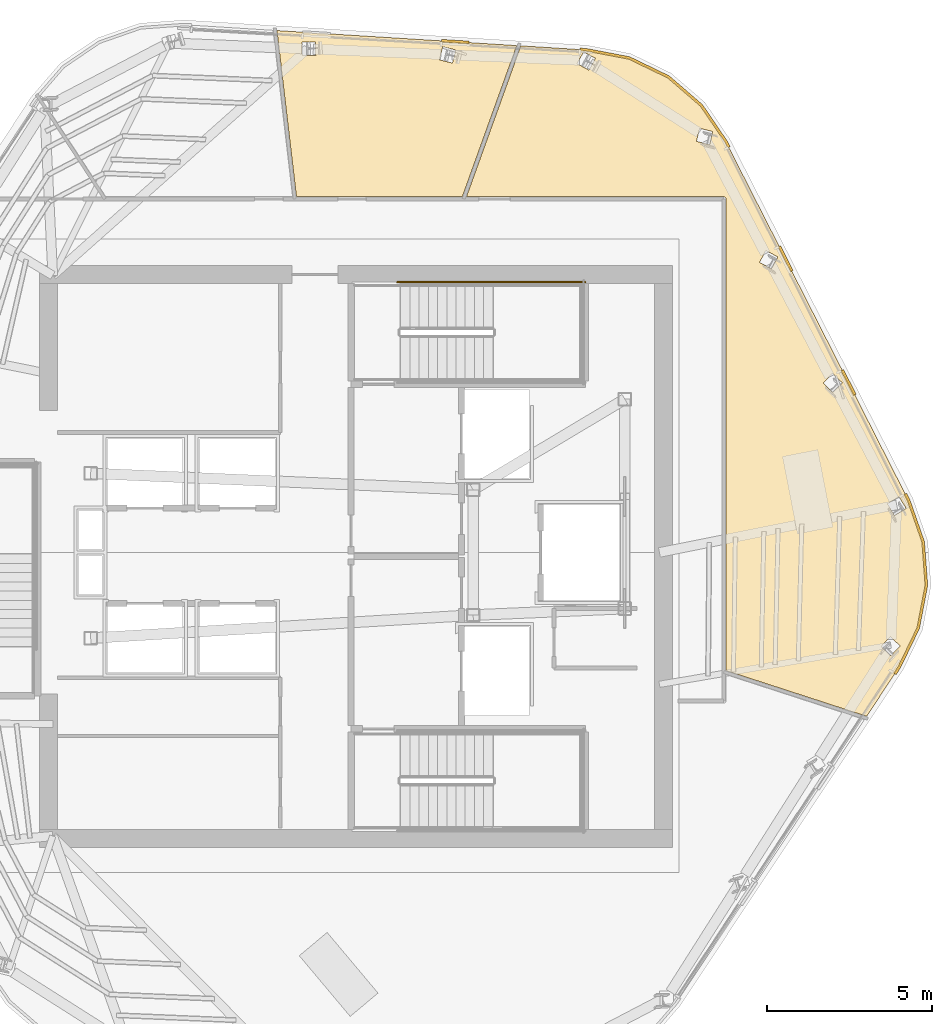
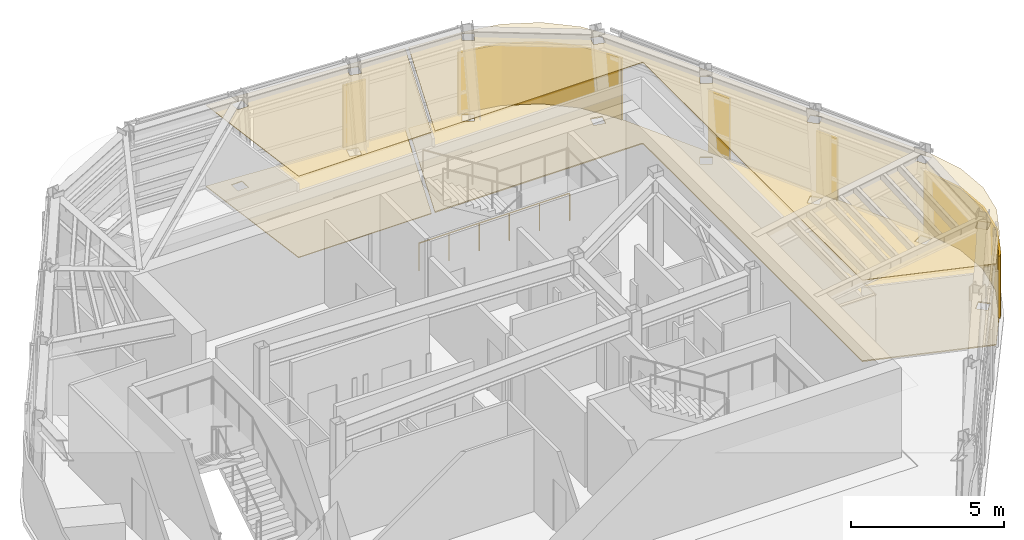
# One storey, part 12 of 13: 9 coverings, 1 railing.
"""IFC4 building model written with IfcOpenShell, lengths in metres."""

from ifc_helpers import new_model, si_unit, direction, frame, origin, origin_2d, place, context, subcontext, project, spatial, polyline, circle, outline, extrude, material, layer, layer_set, type_object, element, save


model = new_model("IFC4")

# Units and contexts
model_context = context("Model", 3, precision=1e-05, world=origin(), true_north=direction((0.0, 1.0)))
body_context = subcontext(model_context, "Body", "Model", "MODEL_VIEW")
ifc_project = project(units=[si_unit("LENGTHUNIT", "METRE"), si_unit("AREAUNIT", "SQUARE_METRE"), si_unit("VOLUMEUNIT", "CUBIC_METRE"), si_unit("PLANEANGLEUNIT", "RADIAN"), si_unit("MASSUNIT", "GRAM", prefix="KILO")], contexts=[model_context])

# Site, building, storey
site_placement = place(None, origin())
site = spatial("IfcSite", under=ifc_project, at=site_placement, CompositionType="ELEMENT")
building_placement = place(site_placement, origin())
building = spatial("IfcBuilding", under=site, at=building_placement, Name="Valkerne Bourse Tower", CompositionType="ELEMENT")
storey_placement = place(building_placement, frame((0.0, 0.0, 269.800048828125)))
storey = spatial("IfcBuildingStorey", under=building, at=storey_placement, Name="L68", CompositionType="ELEMENT", Elevation=269.800048828125)

# Coverings
ifc_material_1 = material(Name="Mineral Fiber Acoustic Ceiling Tile", Category="acoustic")
ifc_layer_1 = layer(ifc_material_1, 0.02490234375)
ifc_layer_set_1 = layer_set([ifc_layer_1], Name="Mineral Fiber Acoustic Ceiling Tile")
covering_type_1 = type_object("IfcCoveringType", Name="COV-CEIL-ACT", PredefinedType="CEILING", material=ifc_layer_set_1)
covering_1_placement = place(storey_placement, frame((0.0, 0.0, 3.25)))
element("IfcCovering", 1, at=covering_1_placement, inside=storey, type_object=covering_type_1, Name="L68 Suspended Ceiling 03", PredefinedType="CEILING", context=body_context, shape_type="SweptSolid", body=[
    extrude(outline(polyline([(44.991943359375, 37.7890625), (44.39990234375, 42.82861328125), (51.672119140625, 42.373291015625), (50.021484375, 37.7890625), (44.991943359375, 37.7890625)]), holes=[polyline([(45.573974609375, 42.078125), (45.576171875, 42.078369140625), (45.563720703125, 42.4873046875), (45.15771484375, 42.47509765625), (45.155517578125, 42.474853515625), (45.168212890625, 42.06591796875), (45.573974609375, 42.078125)]), polyline([(49.8212890625, 42.239990234375), (49.427490234375, 42.33837890625), (49.42529296875, 42.3388671875), (49.326171875, 41.94189453125), (49.719970703125, 41.84326171875), (49.72216796875, 41.843017578125), (49.8212890625, 42.239990234375)])]), origin(), (0.0, 0.0, 1.0), 0.02490234375),
])
covering_2_placement = place(storey_placement, frame((0.0, 0.0, 3.25)))
element("IfcCovering", 2, at=covering_2_placement, inside=storey, type_object=covering_type_1, Name="L68 Suspended Ceiling 05", PredefinedType="CEILING", context=body_context, shape_type="SweptSolid", body=[
    extrude(outline(polyline([(63.84423828125, 24.706787109375), (63.26611328125, 23.510498046875), (62.28369140625, 22.031005859375), (58.01904296875, 23.416748046875), (58.015380859375, 37.742919921875), (57.99072265625, 37.77587890625), (57.95068359375, 37.7890625), (50.14697265625, 37.7890625), (51.794677734375, 42.365478515625), (53.77685546875, 42.2412109375), (55.082763671875, 41.9921875), (56.27099609375, 41.41796875), (57.269775390625, 40.5556640625), (58.01708984375, 39.456298828125), (63.557861328125, 28.57373046875), (63.9951171875, 27.31884765625), (64.091552734375, 26.0029296875), (63.84423828125, 24.706787109375)]), holes=[polyline([(63.30029296875, 24.1640625), (63.005615234375, 24.444091796875), (62.723388671875, 24.1484375), (62.722900390625, 24.14599609375), (63.017578125, 23.865966796875), (63.2998046875, 24.16162109375), (63.30029296875, 24.1640625)]), polyline([(63.47900390625, 28.33837890625), (63.266845703125, 28.6875), (62.9189453125, 28.476806640625), (62.919189453125, 28.474365234375), (63.131591796875, 28.12548828125), (63.479248046875, 28.336181640625), (63.47900390625, 28.33837890625)]), polyline([(61.544189453125, 32.1484375), (61.25, 32.432373046875), (60.96728515625, 32.140380859375), (60.968017578125, 32.13818359375), (61.261962890625, 31.8544921875), (61.544921875, 32.146484375), (61.544189453125, 32.1484375)]), polyline([(59.588623046875, 35.963623046875), (59.228515625, 36.15673828125), (59.03564453125, 35.798828125), (59.037109375, 35.797119140625), (59.397216796875, 35.603759765625), (59.58984375, 35.9619140625), (59.588623046875, 35.963623046875)]), polyline([(57.615234375, 39.767578125), (57.218017578125, 39.86328125), (57.122314453125, 39.46826171875), (57.1240234375, 39.466796875), (57.521240234375, 39.37109375), (57.6171875, 39.76611328125), (57.615234375, 39.767578125)]), polyline([(53.702880859375, 42.181884765625), (53.70068359375, 42.182861328125), (53.504150390625, 41.82373046875), (53.860107421875, 41.62890625), (53.8623046875, 41.627685546875), (54.058837890625, 41.98681640625), (53.702880859375, 42.181884765625)])]), origin(), (0.0, 0.0, 1.0), 0.02490234375),
])
ifc_material_2 = material(Name="Bronze Anodised Aluminium AA 6063-T6", Category="aluminium")
ifc_layer_2 = layer(ifc_material_2, 0.06005859375)
ifc_layer_set_2 = layer_set([ifc_layer_2], Name="Bronze Anodised Aluminium AA 6063-T6")
covering_type_2 = type_object("IfcCoveringType", Name="COV-CRN-ALUM", PredefinedType="CLADDING", material=ifc_layer_set_2)
covering_3_placement = place(storey_placement, origin())
element("IfcCovering", 3, at=covering_3_placement, inside=storey, type_object=covering_type_2, Name="L68 Wind-Shaped Corner Aluminium Cladding 01", PredefinedType="CLADDING", context=body_context, shape_type="SweptSolid", body=[
    extrude(outline(polyline([(64.038330078125, 27.327880859375), (64.135986328125, 26.00048828125), (63.886474609375, 24.69287109375), (63.30419921875, 23.488525390625), (63.177978515625, 23.29833984375), (63.111083984375, 23.34228515625), (63.234619140625, 23.5283203125), (63.809814453125, 24.71826171875), (64.055419921875, 26.005126953125), (63.95947265625, 27.3115234375), (63.524658203125, 28.5595703125), (63.42333984375, 28.7587890625), (63.494873046875, 28.794677734375), (63.598388671875, 28.591064453125), (64.038330078125, 27.327880859375)])), origin(), (0.0, 0.0, 1.0), 2.5),
])
covering_4_placement = place(storey_placement, origin())
element("IfcCovering", 4, at=covering_4_placement, inside=storey, type_object=covering_type_2, Name="L68 Wind-Shaped Corner Aluminium Cladding 15", PredefinedType="CLADDING", context=body_context, shape_type="SweptSolid", body=[
    extrude(outline(polyline([(50.224365234375, 42.508056640625), (50.2197265625, 42.427978515625), (49.38134765625, 42.480712890625), (49.385986328125, 42.560546875), (50.224365234375, 42.508056640625)])), origin(), (0.0, 0.0, 1.0), 2.5),
])
covering_5_placement = place(storey_placement, origin())
element("IfcCovering", 5, at=covering_5_placement, inside=storey, type_object=covering_type_2, Name="L68 Wind-Shaped Corner Aluminium Cladding 16", PredefinedType="CLADDING", context=body_context, shape_type="SweptSolid", body=[
    extrude(outline(polyline([(53.782470703125, 42.28515625), (55.0966796875, 42.0341796875), (56.295166015625, 41.455078125), (57.302978515625, 40.585205078125), (58.054931640625, 39.478515625), (58.142578125, 39.306640625), (58.071044921875, 39.270751953125), (57.98583984375, 39.437744140625), (57.24267578125, 40.531494140625), (56.2509765625, 41.3876953125), (55.0712890625, 41.957763671875), (53.7724609375, 42.20556640625), (53.585205078125, 42.21728515625), (53.58984375, 42.297119140625), (53.782470703125, 42.28515625)])), origin(), (0.0, 0.0, 1.0), 2.5),
])
covering_6_placement = place(storey_placement, origin())
element("IfcCovering", 6, at=covering_6_placement, inside=storey, type_object=covering_type_2, Name="L68 Wind-Shaped Corner Aluminium Cladding 17", PredefinedType="CLADDING", context=body_context, shape_type="SweptSolid", body=[
    extrude(outline(polyline([(60.0537109375, 35.552978515625), (59.982177734375, 35.51708984375), (59.60107421875, 36.265625), (59.672607421875, 36.3017578125), (60.0537109375, 35.552978515625)])), origin(), (0.0, 0.0, 1.0), 2.5),
])
covering_7_placement = place(storey_placement, origin())
element("IfcCovering", 7, at=covering_7_placement, inside=storey, type_object=covering_type_2, Name="L68 Wind-Shaped Corner Aluminium Cladding 18", PredefinedType="CLADDING", context=body_context, shape_type="SweptSolid", body=[
    extrude(outline(polyline([(61.96484375, 31.799560546875), (61.893310546875, 31.763671875), (61.51220703125, 32.51220703125), (61.583740234375, 32.548095703125), (61.96484375, 31.799560546875)])), origin(), (0.0, 0.0, 1.0), 2.5),
])
ifc_material_3 = material(Name="Galvanised Painted Steel", Category="steel")
ifc_layer_3 = layer(ifc_material_3, 0.044921875)
ifc_layer_set_3 = layer_set([ifc_layer_3], Name="Galvanised Painted Steel")
covering_type_3 = type_object("IfcCoveringType", Name="COV-FLR-RAF", PredefinedType="FLOORING", material=ifc_layer_set_3)
covering_8_placement = place(storey_placement, origin())
element("IfcCovering", 8, at=covering_8_placement, inside=storey, type_object=covering_type_3, Name="L68 Floor Finish 05", PredefinedType="FLOORING", context=body_context, shape_type="SweptSolid", body=[
    extrude(outline(polyline([(63.84423828125, 24.706787109375), (63.26611328125, 23.510498046875), (62.28369140625, 22.031005859375), (58.01904296875, 23.416748046875), (58.015380859375, 37.742919921875), (57.99072265625, 37.77587890625), (57.95068359375, 37.7890625), (50.14697265625, 37.7890625), (51.794677734375, 42.365478515625), (53.77685546875, 42.2412109375), (55.082763671875, 41.9921875), (56.27099609375, 41.41796875), (57.269775390625, 40.5556640625), (58.01708984375, 39.456298828125), (63.557861328125, 28.57373046875), (63.9951171875, 27.31884765625), (64.091552734375, 26.0029296875), (63.84423828125, 24.706787109375)]), holes=[polyline([(63.30029296875, 24.1640625), (63.005615234375, 24.444091796875), (62.723388671875, 24.1484375), (62.722900390625, 24.14599609375), (63.017578125, 23.865966796875), (63.2998046875, 24.16162109375), (63.30029296875, 24.1640625)]), polyline([(63.47900390625, 28.33837890625), (63.266845703125, 28.6875), (62.9189453125, 28.476806640625), (62.919189453125, 28.474365234375), (63.131591796875, 28.12548828125), (63.479248046875, 28.336181640625), (63.47900390625, 28.33837890625)]), polyline([(61.544189453125, 32.1484375), (61.25, 32.432373046875), (60.96728515625, 32.140380859375), (60.968017578125, 32.13818359375), (61.261962890625, 31.8544921875), (61.544921875, 32.146484375), (61.544189453125, 32.1484375)]), polyline([(59.588623046875, 35.963623046875), (59.228515625, 36.15673828125), (59.03564453125, 35.798828125), (59.037109375, 35.797119140625), (59.397216796875, 35.603759765625), (59.58984375, 35.9619140625), (59.588623046875, 35.963623046875)]), polyline([(57.615234375, 39.767578125), (57.218017578125, 39.86328125), (57.122314453125, 39.46826171875), (57.1240234375, 39.466796875), (57.521240234375, 39.37109375), (57.6171875, 39.76611328125), (57.615234375, 39.767578125)]), polyline([(53.702880859375, 42.181884765625), (53.70068359375, 42.182861328125), (53.504150390625, 41.82373046875), (53.860107421875, 41.62890625), (53.8623046875, 41.627685546875), (54.058837890625, 41.98681640625), (53.702880859375, 42.181884765625)])]), origin(), (0.0, 0.0, 1.0), 0.044921875),
])
ifc_material_4 = material(Name="Polished Granite Stone", Category="masonry")
ifc_layer_4 = layer(ifc_material_4, 0.030029296875)
ifc_layer_set_4 = layer_set([ifc_layer_4], Name="Polished Granite Stone")
covering_type_4 = type_object("IfcCoveringType", Name="COV-FLR-TERRAZZO", PredefinedType="FLOORING", material=ifc_layer_set_4)
covering_9_placement = place(storey_placement, origin())
element("IfcCovering", 9, at=covering_9_placement, inside=storey, type_object=covering_type_4, Name="L68 Floor Finish 03", PredefinedType="FLOORING", context=body_context, shape_type="SweptSolid", body=[
    extrude(outline(polyline([(44.991943359375, 37.7890625), (44.39990234375, 42.82861328125), (51.672119140625, 42.373291015625), (50.021484375, 37.7890625), (44.991943359375, 37.7890625)]), holes=[polyline([(45.573974609375, 42.078125), (45.576171875, 42.078369140625), (45.563720703125, 42.4873046875), (45.15771484375, 42.47509765625), (45.155517578125, 42.474853515625), (45.168212890625, 42.06591796875), (45.573974609375, 42.078125)]), polyline([(49.8212890625, 42.239990234375), (49.427490234375, 42.33837890625), (49.42529296875, 42.3388671875), (49.326171875, 41.94189453125), (49.719970703125, 41.84326171875), (49.72216796875, 41.843017578125), (49.8212890625, 42.239990234375)])]), origin(), (0.0, 0.0, 1.0), 0.030029296875),
])

# Railing
railing_type = type_object("IfcRailingType", Name="RLG-ST-GUARD-1120", PredefinedType="GUARDRAIL", material=ifc_material_3)
railing_placement = place(storey_placement, frame((48.050048828125, 35.199951171875, 0.0)))
element("IfcRailing", 10, at=railing_placement, inside=storey, type_object=railing_type, Name="L68 ST-2 stair guard 11", PredefinedType="GUARDRAIL", context=body_context, shape_type="SweptSolid", body=[
    extrude(circle(Radius=0.02392578125, at=origin_2d()), frame((0.0, 0.0, 1.09619140625), z_axis=(1.0, 0.0, 0.0), x_axis=(0.0, 1.0, 0.0)), (0.0, 0.0, 1.0), 5.699951171875),
    extrude(circle(Radius=0.02099609375, at=origin_2d()), origin(), (0.0, 0.0, 1.0), 1.072021484375),
    extrude(circle(Radius=0.02099609375, at=origin_2d()), frame((1.139892578125, 0.0, 0.0)), (0.0, 0.0, 1.0), 1.072021484375),
    extrude(circle(Radius=0.02099609375, at=origin_2d()), frame((2.280029296875, 0.0, 0.0)), (0.0, 0.0, 1.0), 1.072021484375),
    extrude(circle(Radius=0.02099609375, at=origin_2d()), frame((3.419921875, 0.0, 0.0)), (0.0, 0.0, 1.0), 1.072021484375),
    extrude(circle(Radius=0.02099609375, at=origin_2d()), frame((4.56005859375, 0.0, 0.0)), (0.0, 0.0, 1.0), 1.072021484375),
    extrude(circle(Radius=0.02099609375, at=origin_2d()), frame((5.699951171875, 0.0, 0.0)), (0.0, 0.0, 1.0), 1.072021484375),
])

save(model, "model.ifc")
